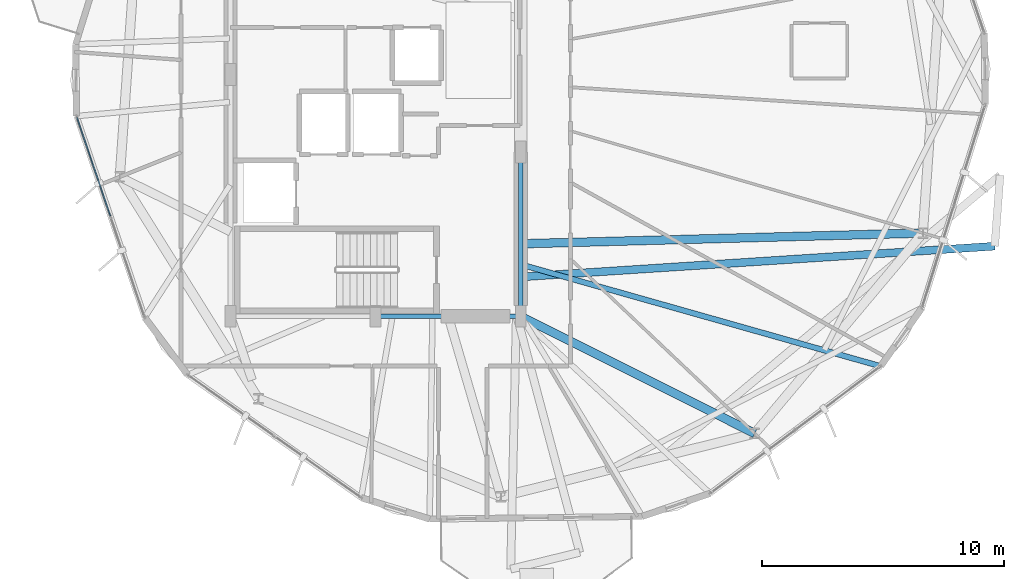
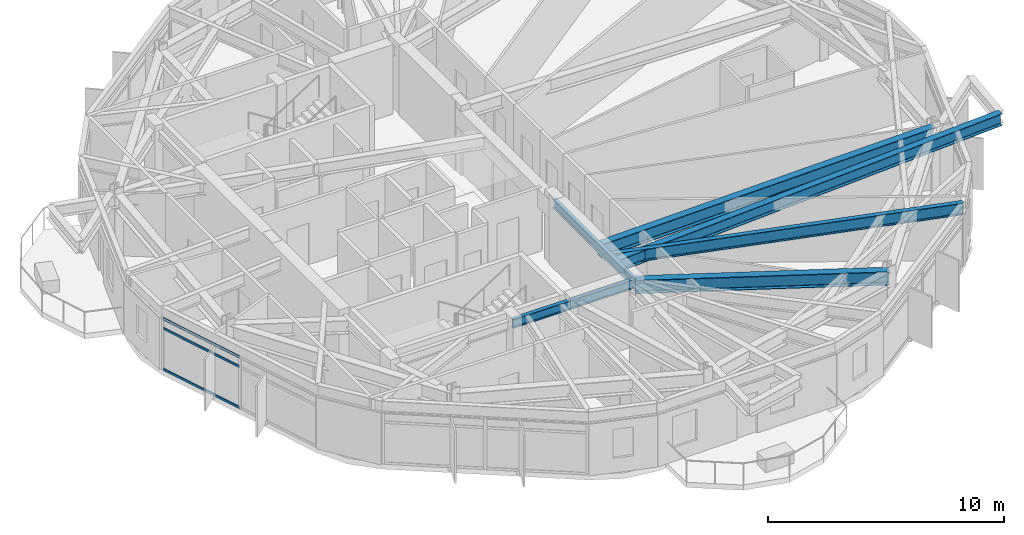
# One storey, part 6 of 27: 6 beams, 3 members, 1 element without a shape of its own.
"""IFC4 building model written with IfcOpenShell, lengths in metres."""

from ifc_helpers import new_model, si_unit, direction, frame, origin, origin_2d, place, context, subcontext, project, spatial, hollow_rectangle, i_section, extrude, material, layer, layer_set, material_profile, profile_set, type_object, element, aggregate, save


model = new_model("IFC4")

# Units and contexts
model_context = context("Model", 3, precision=1e-05, world=origin(), true_north=direction((0.0, 1.0)))
body_context = subcontext(model_context, "Body", "Model", "MODEL_VIEW")
ifc_project = project(units=[si_unit("LENGTHUNIT", "METRE"), si_unit("AREAUNIT", "SQUARE_METRE"), si_unit("VOLUMEUNIT", "CUBIC_METRE"), si_unit("PLANEANGLEUNIT", "RADIAN"), si_unit("MASSUNIT", "GRAM", prefix="KILO")], contexts=[model_context])

# Site, building, storey
site_placement = place(None, origin())
site = spatial("IfcSite", under=ifc_project, at=site_placement, CompositionType="ELEMENT")
building_placement = place(site_placement, origin())
building = spatial("IfcBuilding", under=site, at=building_placement, Name="Soratama Intermodal Tower", CompositionType="ELEMENT")
storey_placement = place(building_placement, frame((0.0, 0.0, 167.800048828125)))
storey = spatial("IfcBuildingStorey", under=building, at=storey_placement, Name="L41", CompositionType="ELEMENT", Elevation=167.800048828125)

# Beams
ifc_material_1 = material(Name="Structural steel ASTM A992 Grade 50", Category="steel")
ifc_material_profile_1 = material_profile(ifc_material_1, i_section(OverallWidth=0.324951171875, OverallDepth=0.615966796875, WebThickness=0.013916015625, FlangeThickness=0.021484375, FilletRadius=0.013916015625, at=origin_2d()), Name="W24X117")
ifc_profile_set_1 = profile_set([ifc_material_profile_1], Name="Structural steel ASTM A992 Grade 50")
beam_type_1 = type_object("IfcBeamType", Name="BM-CANT-W24X117", PredefinedType="BEAM", material=ifc_profile_set_1)
beam_1_placement = place(storey_placement, frame((44.639892578125, 16.633056640625, 2.991943359375), z_axis=(0.997902168022, 0.064739964921, 0.0), x_axis=(-0.064739964921, 0.997902168022, 0.0)))
element("IfcBeam", 1, at=beam_1_placement, inside=storey, type_object=beam_type_1, Name="BM-L41-CANT-1-1", PredefinedType="BEAM", context=body_context, shape_type="SweptSolid", body=[
    extrude(i_section(OverallWidth=0.324951171875, OverallDepth=0.615966796875, WebThickness=0.013916015625, FlangeThickness=0.021484375, FilletRadius=0.013916015625, at=origin_2d()), origin(), (0.0, 0.0, 1.0), 19.60205078125),
])
ifc_material_2 = material(Name="Structural steel ASTM A992 Grade 50", Category="steel")
ifc_material_profile_2 = material_profile(ifc_material_2, i_section(OverallWidth=0.19091796875, OverallDepth=0.4599609375, WebThickness=0.010009765625, FlangeThickness=0.01611328125, FilletRadius=0.010986328125, at=origin_2d()), Name="W18X55")
ifc_profile_set_2 = profile_set([ifc_material_profile_2], Name="Structural steel ASTM A992 Grade 50")
beam_type_2 = type_object("IfcBeamType", Name="BM-FLR-W18X55", PredefinedType="BEAM", material=ifc_profile_set_2)
beam_2_placement = place(storey_placement, frame((38.60009765625, 15.0, 3.070068359375), z_axis=(1.0, 0.0, 0.0), x_axis=(0.0, 1.0, 0.0)))
element("IfcBeam", 2, at=beam_2_placement, inside=storey, type_object=beam_type_2, Name="BM-L41-CRING-02", PredefinedType="BEAM", context=body_context, shape_type="SweptSolid", body=[
    extrude(i_section(OverallWidth=0.19091796875, OverallDepth=0.4599609375, WebThickness=0.010009765625, FlangeThickness=0.01611328125, FilletRadius=0.010986328125, at=origin_2d()), origin(), (0.0, 0.0, 1.0), 6.0),
])
beam_3_placement = place(storey_placement, frame((44.60009765625, 15.0, 3.070068359375), z_axis=(0.0, 1.0, 0.0), x_axis=(-1.0, 0.0, 0.0)))
element("IfcBeam", 3, at=beam_3_placement, inside=storey, type_object=beam_type_2, Name="BM-L41-CRING-03", PredefinedType="BEAM", context=body_context, shape_type="SweptSolid", body=[
    extrude(i_section(OverallWidth=0.19091796875, OverallDepth=0.4599609375, WebThickness=0.010009765625, FlangeThickness=0.01611328125, FilletRadius=0.010986328125, at=origin_2d()), origin(), (0.0, 0.0, 1.0), 6.800048828125),
])
ifc_material_3 = material(Name="Structural steel ASTM A992 Grade 50", Category="steel")
ifc_material_profile_3 = material_profile(ifc_material_3, i_section(OverallWidth=0.35498046875, OverallDepth=0.695068359375, WebThickness=0.015380859375, FlangeThickness=0.02490234375, FilletRadius=0.01611328125, at=origin_2d()), Name="W27X146")
ifc_profile_set_3 = profile_set([ifc_material_profile_3], Name="Structural steel ASTM A992 Grade 50")
beam_type_3 = type_object("IfcBeamType", Name="BM-RING-W27X146", PredefinedType="BEAM", material=ifc_profile_set_3)
beam_4_placement = place(storey_placement, frame((44.60009765625, 15.0, 2.952392578125), z_axis=(0.894273669201, -0.447520507434, 0.0), x_axis=(0.447520507434, 0.894273669201, 0.0)))
element("IfcBeam", 4, at=beam_4_placement, inside=storey, type_object=beam_type_3, Name="BM-L41-RAD-09", PredefinedType="BEAM", context=body_context, shape_type="SweptSolid", body=[
    extrude(i_section(OverallWidth=0.35498046875, OverallDepth=0.695068359375, WebThickness=0.015380859375, FlangeThickness=0.02490234375, FilletRadius=0.01611328125, at=origin_2d()), origin(), (0.0, 0.0, 1.0), 10.817626953125),
])
beam_5_placement = place(storey_placement, frame((44.60009765625, 18.0, 2.952392578125), z_axis=(0.999643459503, 0.026701196077, 0.0), x_axis=(-0.026701196077, 0.999643459503, 0.0)))
element("IfcBeam", 5, at=beam_5_placement, inside=storey, type_object=beam_type_3, Name="BM-L41-RAD-10", PredefinedType="BEAM", context=body_context, shape_type="SweptSolid", body=[
    extrude(i_section(OverallWidth=0.35498046875, OverallDepth=0.695068359375, WebThickness=0.015380859375, FlangeThickness=0.02490234375, FilletRadius=0.01611328125, at=origin_2d()), origin(), (0.0, 0.0, 1.0), 16.6318359375),
])
ifc_material_4 = material(Name="Structural steel ASTM A992 Grade 50", Category="steel")
ifc_material_profile_4 = material_profile(ifc_material_4, i_section(OverallWidth=0.22900390625, OverallDepth=0.612060546875, WebThickness=0.011962890625, FlangeThickness=0.01953125, FilletRadius=0.012939453125, at=origin_2d()), Name="W24X84")
ifc_profile_set_4 = profile_set([ifc_material_profile_4], Name="Structural steel ASTM A992 Grade 50")
beam_type_4 = type_object("IfcBeamType", Name="BM-TIE-W24X84", PredefinedType="BEAM", material=ifc_profile_set_4)
beam_6_placement = place(storey_placement, frame((44.637939453125, 17.135009765625, 2.993896484375), z_axis=(0.962247344928, -0.272176500048, 0.0), x_axis=(0.272176500048, 0.962247344928, 0.0)))
element("IfcBeam", 6, at=beam_6_placement, inside=storey, type_object=beam_type_4, Name="BM-L41-TIE1-08", PredefinedType="BEAM", context=body_context, shape_type="SweptSolid", body=[
    extrude(i_section(OverallWidth=0.22900390625, OverallDepth=0.612060546875, WebThickness=0.011962890625, FlangeThickness=0.01953125, FilletRadius=0.012939453125, at=origin_2d()), origin(), (0.0, 0.0, 1.0), 15.427490234375),
])

# Curtain wall, members
ifc_material_5 = material(Name="Double-glazed aluminium curtain wall", Category="aluminium")
ifc_layer = layer(ifc_material_5, 0.159912109375)
ifc_layer_set = layer_set([ifc_layer], Name="Double-glazed aluminium curtain wall")
curtain_wall_type = type_object("IfcCurtainWallType", Name="CW-SYS-4", PredefinedType="NOTDEFINED", material=ifc_layer_set)
curtain_wall_placement = place(storey_placement, origin())
curtain_wall = element("IfcCurtainWall", 7, at=curtain_wall_placement, inside=storey, type_object=curtain_wall_type, Name="L41 Faceted Curtain Wall F05", PredefinedType="NOTDEFINED")
ifc_material_6 = material(Name="Anodised aluminium AA 6063-T6", Category="aluminium")
ifc_material_profile_5 = material_profile(ifc_material_6, hollow_rectangle(XDim=0.06005859375, YDim=0.1298828125, WallThickness=0.0048828125, InnerFilletRadius=0.0048828125, OuterFilletRadius=0.010009765625, at=origin_2d()), Name="CWT130X60X5")
ifc_profile_set_5 = profile_set([ifc_material_profile_5], Name="Anodised aluminium AA 6063-T6")
member_type = type_object("IfcMemberType", Name="TT-CWT-2", PredefinedType="USERDEFINED", material=ifc_profile_set_5)
member_1_placement = place(storey_placement, frame((26.2490234375, 23.223876953125, 0.030029296875), z_axis=(0.32091860423, -0.947106778278, 0.0), x_axis=(0.947106778278, 0.32091860423, 0.0)))
member_1 = element("IfcMember", 8, at=member_1_placement, type_object=member_type, Name="CW-4 transom 1.1", ObjectType="TRANSOM", PredefinedType="USERDEFINED", context=body_context, shape_type="SweptSolid", body=[
    extrude(hollow_rectangle(XDim=0.06005859375, YDim=0.1298828125, WallThickness=0.0048828125, InnerFilletRadius=0.0048828125, OuterFilletRadius=0.010009765625, at=origin_2d()), origin(), (0.0, 0.0, 1.0), 4.305908203125),
])
member_2_placement = place(storey_placement, frame((26.2490234375, 23.223876953125, 2.14990234375), z_axis=(0.32091860423, -0.947106778278, 0.0), x_axis=(0.947106778278, 0.32091860423, 0.0)))
member_2 = element("IfcMember", 9, at=member_2_placement, type_object=member_type, Name="CW-4 transom 1.2", ObjectType="TRANSOM", PredefinedType="USERDEFINED", context=body_context, shape_type="SweptSolid", body=[
    extrude(hollow_rectangle(XDim=0.06005859375, YDim=0.1298828125, WallThickness=0.0048828125, InnerFilletRadius=0.0048828125, OuterFilletRadius=0.010009765625, at=origin_2d()), origin(), (0.0, 0.0, 1.0), 4.305908203125),
])
member_3_placement = place(storey_placement, frame((26.2490234375, 23.223876953125, 2.64892578125), z_axis=(0.32091860423, -0.947106778278, 0.0), x_axis=(0.947106778278, 0.32091860423, 0.0)))
member_3 = element("IfcMember", 10, at=member_3_placement, type_object=member_type, Name="CW-4 transom 1.3", ObjectType="TRANSOM", PredefinedType="USERDEFINED", context=body_context, shape_type="SweptSolid", body=[
    extrude(hollow_rectangle(XDim=0.06005859375, YDim=0.1298828125, WallThickness=0.0048828125, InnerFilletRadius=0.0048828125, OuterFilletRadius=0.010009765625, at=origin_2d()), origin(), (0.0, 0.0, 1.0), 4.305908203125),
])
aggregate(curtain_wall, [member_1, member_2, member_3])

save(model, "model.ifc")
